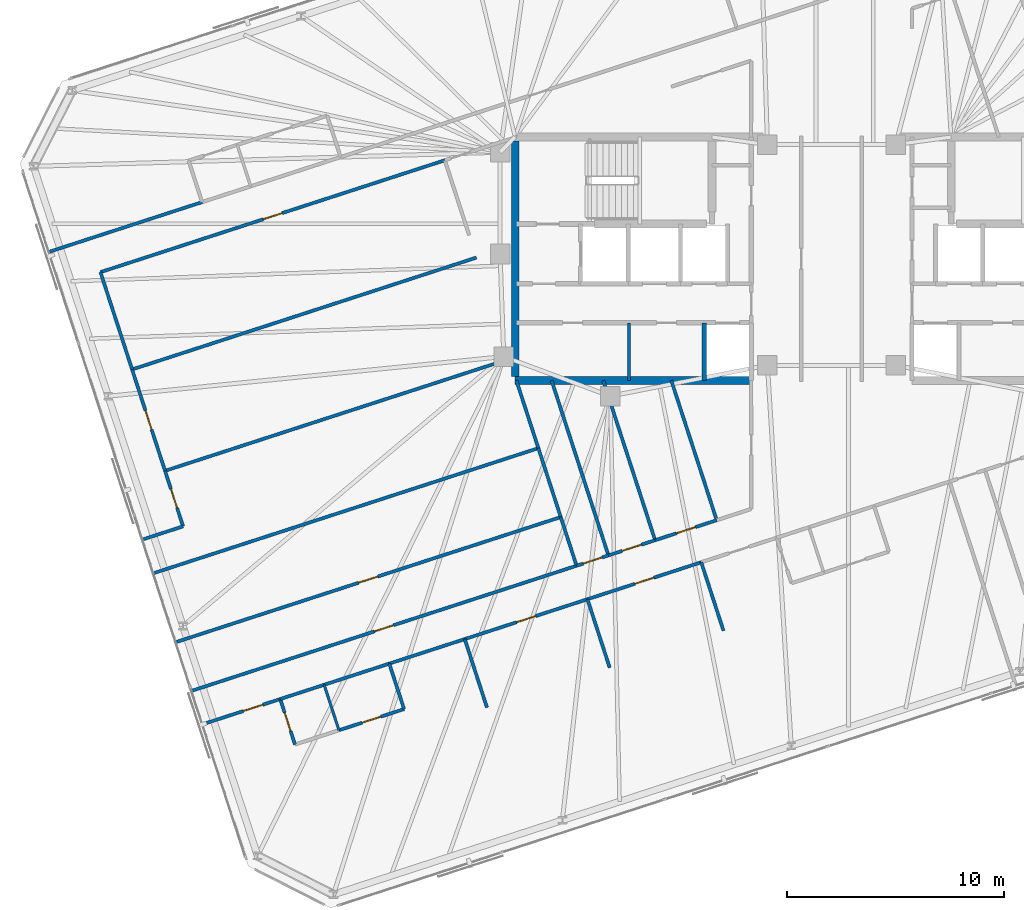
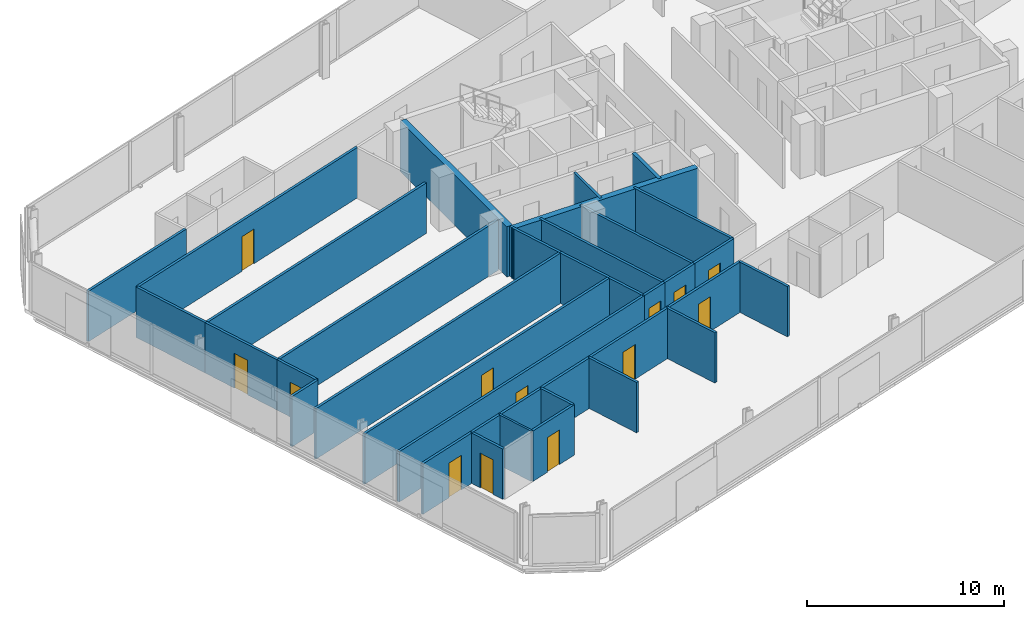
# One storey, part 13 of 19: 37 walls, 13 doors, 13 openings.
"""IFC4 building model written with IfcOpenShell, lengths in metres."""

from ifc_helpers import new_model, si_unit, direction, frame, frame_2d, origin, place, context, subcontext, project, spatial, rectangle, extrude, material, layer, layer_set, type_object, element, fill, save


model = new_model("IFC4")

# Units and contexts
model_context = context("Model", 3, precision=1e-05, world=origin(), true_north=direction((0.0, 1.0)))
body_context = subcontext(model_context, "Body", "Model", "MODEL_VIEW")
ifc_project = project(units=[si_unit("LENGTHUNIT", "METRE"), si_unit("AREAUNIT", "SQUARE_METRE"), si_unit("VOLUMEUNIT", "CUBIC_METRE"), si_unit("PLANEANGLEUNIT", "RADIAN"), si_unit("MASSUNIT", "GRAM", prefix="KILO")], contexts=[model_context])

# Site, building, storey
site_placement = place(None, origin())
site = spatial("IfcSite", under=ifc_project, at=site_placement, CompositionType="ELEMENT")
building_placement = place(site_placement, origin())
building = spatial("IfcBuilding", under=site, at=building_placement, Name="Menara Jurai Vektor", CompositionType="ELEMENT")
storey_placement = place(building_placement, frame((0.0, 0.0, 214.25)))
storey = spatial("IfcBuildingStorey", under=building, at=storey_placement, Name="L56", CompositionType="ELEMENT", Elevation=214.25)

# Walls
ifc_material_1 = material(Name="Gypsum Fireboard Partition", Category="gypsum")
ifc_layer_1 = layer(ifc_material_1, 0.14990234375)
ifc_layer_set_1 = layer_set([ifc_layer_1], Name="Gypsum Fireboard Partition")
wall_type_1 = type_object("IfcWallType", Name="INT-WALL-CORR-150", PredefinedType="PARTITIONING", material=ifc_layer_set_1)
wall_1_placement = place(storey_placement, frame((-9.320068359375, -5.60009765625, 0.0), z_axis=(0.0, 0.0, 1.0), x_axis=(0.0, 1.0, 0.0)))
element("IfcWall", 1, at=wall_1_placement, inside=storey, type_object=wall_type_1, Name="Interior Wall IW-150 L56", PredefinedType="PARTITIONING", context=body_context, shape_type="SweptSolid", body=[
    extrude(rectangle(XDim=2.650146484375, YDim=0.14990234375, at=frame_2d((1.3251953125, 0.0))), origin(), (0.0, 0.0, 1.0), 3.125),
])
wall_2_placement = place(storey_placement, frame((-36.01220703125, 0.314208984375, 0.0), z_axis=(0.0, 0.0, 1.0), x_axis=(0.951055595173, 0.309019829283, 0.0)))
element("IfcWall", 2, at=wall_2_placement, inside=storey, type_object=wall_type_1, Name="Interior Wall IW-150 L56", PredefinedType="PARTITIONING", context=body_context, shape_type="SweptSolid", body=[
    extrude(rectangle(XDim=7.4169921875, YDim=0.14990234375, at=frame_2d((3.70849609375, 0.0))), origin(), (0.0, 0.0, 1.0), 3.125),
])

# Wall, opening, door
wall_3_placement = place(storey_placement, frame((-28.949951171875, -21.42138671875, 0.0), z_axis=(0.0, 0.0, 1.0), x_axis=(0.951052151329, 0.309030428036, 0.0)))
wall_3 = element("IfcWall", 3, at=wall_3_placement, inside=storey, type_object=wall_type_1, Name="Interior Wall IW-150 L56", PredefinedType="PARTITIONING", context=body_context, shape_type="SweptSolid", body=[
    extrude(rectangle(XDim=3.77001953125, YDim=0.14990234375, at=frame_2d((1.885009765625, 0.0))), origin(), (0.0, 0.0, 1.0), 3.125),
])
opening_1_placement = place(wall_3_placement, frame((1.975341796875, 0.0, 0.0)))
opening_1 = element("IfcOpeningElement", 4, at=opening_1_placement, cuts=wall_3, Name="Opening D56-15", PredefinedType="OPENING", context=body_context, shape_type="SweptSolid", body=[
    extrude(rectangle(XDim=0.949951171875, YDim=2.14990234375, at=frame_2d((0.47509765625, 1.074951171875))), frame((0.0, 0.0849609375, 0.0), z_axis=(0.0, -1.0, 0.0), x_axis=(1.0, 0.0, 0.0)), (0.0, 0.0, 1.0), 0.169921875),
])
ifc_material_2 = material(Name="Solid Core Timber Fire Door", Category="wood")
door_type_1 = type_object("IfcDoorType", Name="DR-ENTRY-950", OperationType="NOTDEFINED", PredefinedType="DOOR", material=ifc_material_2)
door_1_placement = place(opening_1_placement, origin())
door_1 = element("IfcDoor", 5, at=door_1_placement, inside=storey, type_object=door_type_1, Name="Interior Door D56-15", OperationType="SINGLE_SWING_RIGHT", OverallHeight=2.14990234375, OverallWidth=0.949951171875, PredefinedType="DOOR", context=body_context, shape_type="SweptSolid", body=[
    extrude(rectangle(XDim=0.949951171875, YDim=2.14990234375, at=frame_2d((0.47509765625, 1.074951171875))), frame((0.0, 0.02490234375, 0.0), z_axis=(0.0, -1.0, 0.0), x_axis=(1.0, 0.0, 0.0)), (0.0, 0.0, 1.0), 0.050048828125),
])
fill(opening_1, door_1)

# Walls
wall_4_placement = place(storey_placement, frame((-20.3466796875, -18.6259765625, 0.0), z_axis=(0.0, 0.0, 1.0), x_axis=(0.951057168147, 0.309014988174, 0.0)))
element("IfcWall", 6, at=wall_4_placement, inside=storey, type_object=wall_type_1, Name="Interior Wall IW-150 L56", PredefinedType="PARTITIONING", context=body_context, shape_type="SweptSolid", body=[
    extrude(rectangle(XDim=3.650146484375, YDim=0.14990234375, at=frame_2d((1.8251953125, 0.0))), origin(), (0.0, 0.0, 1.0), 3.125),
])
wall_5_placement = place(storey_placement, frame((-25.364501953125, -20.25634765625, 0.0), z_axis=(0.0, 0.0, 1.0), x_axis=(0.951056007502, 0.309018560274, 0.0)))
element("IfcWall", 7, at=wall_5_placement, inside=storey, type_object=wall_type_1, Name="Interior Wall IW-150 L56", PredefinedType="PARTITIONING", context=body_context, shape_type="SweptSolid", body=[
    extrude(rectangle(XDim=2.1259765625, YDim=0.14990234375, at=frame_2d((1.06298828125, 0.0))), origin(), (0.0, 0.0, 1.0), 3.125),
])
wall_6_placement = place(storey_placement, frame((-23.342529296875, -19.599365234375, 0.0), z_axis=(0.0, 0.0, 1.0), x_axis=(0.951058557014, 0.309010713619, 0.0)))
element("IfcWall", 8, at=wall_6_placement, inside=storey, type_object=wall_type_1, Name="Interior Wall IW-150 L56", PredefinedType="PARTITIONING", context=body_context, shape_type="SweptSolid", body=[
    extrude(rectangle(XDim=3.14990234375, YDim=0.14990234375, at=frame_2d((1.574951171875, 0.0))), origin(), (0.0, 0.0, 1.0), 3.125),
])

# Wall, opening, door
wall_7_placement = place(storey_placement, frame((-16.875244140625, -17.498046875, 0.0), z_axis=(0.0, 0.0, 1.0), x_axis=(0.951057944303, 0.309012599384, 0.0)))
wall_7 = element("IfcWall", 9, at=wall_7_placement, inside=storey, type_object=wall_type_1, Name="Interior Wall IW-150 L56", PredefinedType="PARTITIONING", context=body_context, shape_type="SweptSolid", body=[
    extrude(rectangle(XDim=5.935791015625, YDim=0.14990234375, at=frame_2d((2.9677734375, 0.0))), origin(), (0.0, 0.0, 1.0), 3.125),
])
opening_2_placement = place(wall_7_placement, frame((2.508056640625, 0.0, 0.0)))
opening_2 = element("IfcOpeningElement", 10, at=opening_2_placement, cuts=wall_7, Name="Opening D56-24", PredefinedType="OPENING", context=body_context, shape_type="SweptSolid", body=[
    extrude(rectangle(XDim=0.919921875, YDim=2.14990234375, at=frame_2d((0.4599609375, 1.074951171875))), frame((0.0, 0.0849609375, 0.0), z_axis=(0.0, -1.0, 0.0), x_axis=(1.0, 0.0, 0.0)), (0.0, 0.0, 1.0), 0.169921875),
])
door_2_placement = place(opening_2_placement, origin())
door_2 = element("IfcDoor", 11, at=door_2_placement, inside=storey, type_object=door_type_1, Name="Interior Door D56-24", OperationType="SINGLE_SWING_LEFT", OverallHeight=2.14990234375, OverallWidth=0.919921875, PredefinedType="DOOR", context=body_context, shape_type="SweptSolid", body=[
    extrude(rectangle(XDim=0.919921875, YDim=2.14990234375, at=frame_2d((0.4599609375, 1.074951171875))), frame((0.0, 0.02490234375, 0.0), z_axis=(0.0, -1.0, 0.0), x_axis=(1.0, 0.0, 0.0)), (0.0, 0.0, 1.0), 0.050048828125),
])
fill(opening_2, door_2)

wall_8_placement = place(storey_placement, frame((-29.450439453125, -19.880615234375, 0.0), z_axis=(0.0, 0.0, 1.0), x_axis=(0.95105650271, 0.309017036186, 0.0)))
wall_8 = element("IfcWall", 12, at=wall_8_placement, inside=storey, type_object=wall_type_1, Name="Interior Wall IW-150 L56", PredefinedType="PARTITIONING", context=body_context, shape_type="SweptSolid", body=[
    extrude(rectangle(XDim=18.6318359375, YDim=0.14990234375, at=frame_2d((9.31591796875, 0.0))), origin(), (0.0, 0.0, 1.0), 3.125),
])
opening_3_placement = place(wall_8_placement, frame((8.85595703125, 0.0, 0.0)))
opening_3 = element("IfcOpeningElement", 13, at=opening_3_placement, cuts=wall_8, Name="Opening D56-25", PredefinedType="OPENING", context=body_context, shape_type="SweptSolid", body=[
    extrude(rectangle(XDim=0.919921875, YDim=2.14990234375, at=frame_2d((0.4599609375, 1.074951171875))), frame((0.0, 0.0849609375, 0.0), z_axis=(0.0, -1.0, 0.0), x_axis=(1.0, 0.0, 0.0)), (0.0, 0.0, 1.0), 0.169921875),
])
door_3_placement = place(opening_3_placement, origin())
door_3 = element("IfcDoor", 14, at=door_3_placement, inside=storey, type_object=door_type_1, Name="Interior Door D56-25", OperationType="SINGLE_SWING_RIGHT", OverallHeight=2.14990234375, OverallWidth=0.919921875, PredefinedType="DOOR", context=body_context, shape_type="SweptSolid", body=[
    extrude(rectangle(XDim=0.919921875, YDim=2.14990234375, at=frame_2d((0.4599609375, 1.074951171875))), frame((0.0, 0.02490234375, 0.0), z_axis=(0.0, -1.0, 0.0), x_axis=(1.0, 0.0, 0.0)), (0.0, 0.0, 1.0), 0.050048828125),
])
fill(opening_3, door_3)

# Wall
wall_9_placement = place(storey_placement, frame((-31.7119140625, -12.9208984375, 0.0), z_axis=(0.0, 0.0, 1.0), x_axis=(0.951054051148, 0.309024581215, 0.0)))
element("IfcWall", 15, at=wall_9_placement, inside=storey, type_object=wall_type_1, Name="Interior Wall IW-150 L56", PredefinedType="PARTITIONING", context=body_context, shape_type="SweptSolid", body=[
    extrude(rectangle(XDim=1.97509765625, YDim=0.14990234375, at=frame_2d((0.987548828125, 0.0))), origin(), (0.0, 0.0, 1.0), 3.125),
])

# Wall, opening, door
wall_10_placement = place(storey_placement, frame((-29.83349609375, -12.310546875, 0.0), z_axis=(0.0, 0.0, 1.0), x_axis=(-0.309044953986, 0.951047431213, 0.0)))
wall_10 = element("IfcWall", 16, at=wall_10_placement, inside=storey, type_object=wall_type_1, Name="Interior Wall IW-150 L56", PredefinedType="PARTITIONING", context=body_context, shape_type="SweptSolid", body=[
    extrude(rectangle(XDim=2.68505859375, YDim=0.14990234375, at=frame_2d((1.342529296875, 0.0))), origin(), (0.0, 0.0, 1.0), 3.125),
])
opening_4_placement = place(wall_10_placement, frame((0.882568359375, 0.0, 0.0)))
opening_4 = element("IfcOpeningElement", 17, at=opening_4_placement, cuts=wall_10, Name="Opening D56-27", PredefinedType="OPENING", context=body_context, shape_type="SweptSolid", body=[
    extrude(rectangle(XDim=0.919921875, YDim=2.14990234375, at=frame_2d((0.4599609375, 1.074951171875))), frame((0.0, 0.0849609375, 0.0), z_axis=(0.0, -1.0, 0.0), x_axis=(1.0, 0.0, 0.0)), (0.0, 0.0, 1.0), 0.169921875),
])
door_4_placement = place(opening_4_placement, origin())
door_4 = element("IfcDoor", 18, at=door_4_placement, inside=storey, type_object=door_type_1, Name="Interior Door D56-27", OperationType="SINGLE_SWING_RIGHT", OverallHeight=2.14990234375, OverallWidth=0.919921875, PredefinedType="DOOR", context=body_context, shape_type="SweptSolid", body=[
    extrude(rectangle(XDim=0.919921875, YDim=2.14990234375, at=frame_2d((0.4599609375, 1.074951171875))), frame((0.0, 0.02490234375, 0.0), z_axis=(0.0, -1.0, 0.0), x_axis=(1.0, 0.0, 0.0)), (0.0, 0.0, 1.0), 0.050048828125),
])
fill(opening_4, door_4)

wall_11_placement = place(storey_placement, frame((-30.663330078125, -9.7568359375, 0.0), z_axis=(0.0, 0.0, 1.0), x_axis=(-0.309019653166, 0.951055652397, 0.0)))
wall_11 = element("IfcWall", 19, at=wall_11_placement, inside=storey, type_object=wall_type_1, Name="Interior Wall IW-150 L56", PredefinedType="PARTITIONING", context=body_context, shape_type="SweptSolid", body=[
    extrude(rectangle(XDim=4.90380859375, YDim=0.14990234375, at=frame_2d((2.451904296875, 0.0))), origin(), (0.0, 0.0, 1.0), 3.125),
])
opening_5_placement = place(wall_11_placement, frame((1.991943359375, 0.0, 0.0)))
opening_5 = element("IfcOpeningElement", 20, at=opening_5_placement, cuts=wall_11, Name="Opening D56-28", PredefinedType="OPENING", context=body_context, shape_type="SweptSolid", body=[
    extrude(rectangle(XDim=0.919921875, YDim=2.14990234375, at=frame_2d((0.4599609375, 1.074951171875))), frame((0.0, 0.0849609375, 0.0), z_axis=(0.0, -1.0, 0.0), x_axis=(1.0, 0.0, 0.0)), (0.0, 0.0, 1.0), 0.169921875),
])
door_5_placement = place(opening_5_placement, origin())
door_5 = element("IfcDoor", 21, at=door_5_placement, inside=storey, type_object=door_type_1, Name="Interior Door D56-28", OperationType="SINGLE_SWING_LEFT", OverallHeight=2.14990234375, OverallWidth=0.919921875, PredefinedType="DOOR", context=body_context, shape_type="SweptSolid", body=[
    extrude(rectangle(XDim=0.919921875, YDim=2.14990234375, at=frame_2d((0.4599609375, 1.074951171875))), frame((0.0, 0.02490234375, 0.0), z_axis=(0.0, -1.0, 0.0), x_axis=(1.0, 0.0, 0.0)), (0.0, 0.0, 1.0), 0.050048828125),
])
fill(opening_5, door_5)

# Wall
wall_12_placement = place(storey_placement, frame((-32.1787109375, -5.093017578125, 0.0), z_axis=(0.0, 0.0, 1.0), x_axis=(-0.309014532869, 0.951057316083, 0.0)))
element("IfcWall", 22, at=wall_12_placement, inside=storey, type_object=wall_type_1, Name="Interior Wall IW-150 L56", PredefinedType="PARTITIONING", context=body_context, shape_type="SweptSolid", body=[
    extrude(rectangle(XDim=4.707275390625, YDim=0.14990234375, at=frame_2d((2.353515625, 0.0))), origin(), (0.0, 0.0, 1.0), 3.125),
])

# Wall, opening, door
wall_13_placement = place(storey_placement, frame((-33.63330078125, -0.6162109375, 0.0), z_axis=(0.0, 0.0, 1.0), x_axis=(0.951058192995, 0.309011833974, 0.0)))
wall_13 = element("IfcWall", 23, at=wall_13_placement, inside=storey, type_object=wall_type_1, Name="Interior Wall IW-150 L56", PredefinedType="PARTITIONING", context=body_context, shape_type="SweptSolid", body=[
    extrude(rectangle(XDim=16.656982421875, YDim=0.14990234375, at=frame_2d((8.32861328125, 0.0))), origin(), (0.0, 0.0, 1.0), 3.125),
])
opening_6_placement = place(wall_13_placement, frame((7.868408203125, 0.0, 0.0)))
opening_6 = element("IfcOpeningElement", 24, at=opening_6_placement, cuts=wall_13, Name="Opening D56-29", PredefinedType="OPENING", context=body_context, shape_type="SweptSolid", body=[
    extrude(rectangle(XDim=0.919921875, YDim=2.14990234375, at=frame_2d((0.4599609375, 1.074951171875))), frame((0.0, 0.0849609375, 0.0), z_axis=(0.0, -1.0, 0.0), x_axis=(1.0, 0.0, 0.0)), (0.0, 0.0, 1.0), 0.169921875),
])
door_6_placement = place(opening_6_placement, origin())
door_6 = element("IfcDoor", 25, at=door_6_placement, inside=storey, type_object=door_type_1, Name="Interior Door D56-29", OperationType="SINGLE_SWING_RIGHT", OverallHeight=2.14990234375, OverallWidth=0.919921875, PredefinedType="DOOR", context=body_context, shape_type="SweptSolid", body=[
    extrude(rectangle(XDim=0.919921875, YDim=2.14990234375, at=frame_2d((0.4599609375, 1.074951171875))), frame((0.0, 0.02490234375, 0.0), z_axis=(0.0, -1.0, 0.0), x_axis=(1.0, 0.0, 0.0)), (0.0, 0.0, 1.0), 0.050048828125),
])
fill(opening_6, door_6)

wall_14_placement = place(storey_placement, frame((-11.22998046875, -15.663818359375, 0.0), z_axis=(0.0, 0.0, 1.0), x_axis=(0.951055579382, 0.309019877882, 0.0)))
wall_14 = element("IfcWall", 26, at=wall_14_placement, inside=storey, type_object=wall_type_1, Name="Interior Wall IW-150 L56", PredefinedType="PARTITIONING", context=body_context, shape_type="SweptSolid", body=[
    extrude(rectangle(XDim=5.504150390625, YDim=0.14990234375, at=frame_2d((2.751953125, 0.0))), origin(), (0.0, 0.0, 1.0), 3.125),
])
opening_7_placement = place(wall_14_placement, frame((2.2919921875, 0.0, 0.0)))
opening_7 = element("IfcOpeningElement", 27, at=opening_7_placement, cuts=wall_14, Name="Opening D56-30", PredefinedType="OPENING", context=body_context, shape_type="SweptSolid", body=[
    extrude(rectangle(XDim=0.919921875, YDim=2.14990234375, at=frame_2d((0.4599609375, 1.074951171875))), frame((0.0, 0.0849609375, 0.0), z_axis=(0.0, -1.0, 0.0), x_axis=(1.0, 0.0, 0.0)), (0.0, 0.0, 1.0), 0.169921875),
])
door_7_placement = place(opening_7_placement, origin())
door_7 = element("IfcDoor", 28, at=door_7_placement, inside=storey, type_object=door_type_1, Name="Interior Door D56-30", OperationType="SINGLE_SWING_LEFT", OverallHeight=2.14990234375, OverallWidth=0.919921875, PredefinedType="DOOR", context=body_context, shape_type="SweptSolid", body=[
    extrude(rectangle(XDim=0.919921875, YDim=2.14990234375, at=frame_2d((0.4599609375, 1.074951171875))), frame((0.0, 0.02490234375, 0.0), z_axis=(0.0, -1.0, 0.0), x_axis=(1.0, 0.0, 0.0)), (0.0, 0.0, 1.0), 0.050048828125),
])
fill(opening_7, door_7)

wall_15_placement = place(storey_placement, frame((-11.73046875, -14.123046875, 0.0), z_axis=(0.0, 0.0, 1.0), x_axis=(0.951032904484, 0.309089654614, 0.0)))
wall_15 = element("IfcWall", 29, at=wall_15_placement, inside=storey, type_object=wall_type_1, Name="Interior Wall IW-150 L56", PredefinedType="PARTITIONING", context=body_context, shape_type="SweptSolid", body=[
    extrude(rectangle(XDim=1.541015625, YDim=0.14990234375, at=frame_2d((0.7705078125, 0.0))), origin(), (0.0, 0.0, 1.0), 3.125),
])
opening_8_placement = place(wall_15_placement, frame((0.310546875, 0.0, 0.0)))
opening_8 = element("IfcOpeningElement", 30, at=opening_8_placement, cuts=wall_15, Name="Opening D56-35", PredefinedType="OPENING", context=body_context, shape_type="SweptSolid", body=[
    extrude(rectangle(XDim=0.919921875, YDim=2.14990234375, at=frame_2d((0.4599609375, 1.074951171875))), frame((0.0, 0.0849609375, 0.0), z_axis=(0.0, -1.0, 0.0), x_axis=(1.0, 0.0, 0.0)), (0.0, 0.0, 1.0), 0.169921875),
])
door_8_placement = place(opening_8_placement, origin())
door_8 = element("IfcDoor", 31, at=door_8_placement, inside=storey, type_object=door_type_1, Name="Interior Door D56-35", OperationType="SINGLE_SWING_RIGHT", OverallHeight=2.14990234375, OverallWidth=0.919921875, PredefinedType="DOOR", context=body_context, shape_type="SweptSolid", body=[
    extrude(rectangle(XDim=0.919921875, YDim=2.14990234375, at=frame_2d((0.4599609375, 1.074951171875))), frame((0.0, 0.02490234375, 0.0), z_axis=(0.0, -1.0, 0.0), x_axis=(1.0, 0.0, 0.0)), (0.0, 0.0, 1.0), 0.050048828125),
])
fill(opening_8, door_8)

wall_16_placement = place(storey_placement, frame((-10.264892578125, -13.646728515625, 0.0), z_axis=(0.0, 0.0, 1.0), x_axis=(0.951065832698, 0.308988319964, 0.0)))
wall_16 = element("IfcWall", 32, at=wall_16_placement, inside=storey, type_object=wall_type_1, Name="Interior Wall IW-150 L56", PredefinedType="PARTITIONING", context=body_context, shape_type="SweptSolid", body=[
    extrude(rectangle(XDim=2.259033203125, YDim=0.14990234375, at=frame_2d((1.12939453125, 0.0))), origin(), (0.0, 0.0, 1.0), 3.125),
])
opening_9_placement = place(wall_16_placement, frame((0.66943359375, 0.0, 0.0)))
opening_9 = element("IfcOpeningElement", 33, at=opening_9_placement, cuts=wall_16, Name="Opening D56-36", PredefinedType="OPENING", context=body_context, shape_type="SweptSolid", body=[
    extrude(rectangle(XDim=0.919921875, YDim=2.14990234375, at=frame_2d((0.4599609375, 1.074951171875))), frame((0.0, 0.0849609375, 0.0), z_axis=(0.0, -1.0, 0.0), x_axis=(1.0, 0.0, 0.0)), (0.0, 0.0, 1.0), 0.169921875),
])
door_9_placement = place(opening_9_placement, origin())
door_9 = element("IfcDoor", 34, at=door_9_placement, inside=storey, type_object=door_type_1, Name="Interior Door D56-36", OperationType="SINGLE_SWING_LEFT", OverallHeight=2.14990234375, OverallWidth=0.919921875, PredefinedType="DOOR", context=body_context, shape_type="SweptSolid", body=[
    extrude(rectangle(XDim=0.919921875, YDim=2.14990234375, at=frame_2d((0.4599609375, 1.074951171875))), frame((0.0, 0.02490234375, 0.0), z_axis=(0.0, -1.0, 0.0), x_axis=(1.0, 0.0, 0.0)), (0.0, 0.0, 1.0), 0.050048828125),
])
fill(opening_9, door_9)

wall_17_placement = place(storey_placement, frame((-8.116455078125, -12.94873046875, 0.0), z_axis=(0.0, 0.0, 1.0), x_axis=(0.95107320803, 0.308965617775, 0.0)))
wall_17 = element("IfcWall", 35, at=wall_17_placement, inside=storey, type_object=wall_type_1, Name="Interior Wall IW-150 L56", PredefinedType="PARTITIONING", context=body_context, shape_type="SweptSolid", body=[
    extrude(rectangle(XDim=2.97900390625, YDim=0.14990234375, at=frame_2d((1.489501953125, 0.0))), origin(), (0.0, 0.0, 1.0), 3.125),
])
opening_10_placement = place(wall_17_placement, frame((1.029541015625, 0.0, 0.0)))
opening_10 = element("IfcOpeningElement", 36, at=opening_10_placement, cuts=wall_17, Name="Opening D56-37", PredefinedType="OPENING", context=body_context, shape_type="SweptSolid", body=[
    extrude(rectangle(XDim=0.919921875, YDim=2.14990234375, at=frame_2d((0.4599609375, 1.074951171875))), frame((0.0, 0.0849609375, 0.0), z_axis=(0.0, -1.0, 0.0), x_axis=(1.0, 0.0, 0.0)), (0.0, 0.0, 1.0), 0.169921875),
])
door_10_placement = place(opening_10_placement, origin())
door_10 = element("IfcDoor", 37, at=door_10_placement, inside=storey, type_object=door_type_1, Name="Interior Door D56-37", OperationType="SINGLE_SWING_RIGHT", OverallHeight=2.14990234375, OverallWidth=0.919921875, PredefinedType="DOOR", context=body_context, shape_type="SweptSolid", body=[
    extrude(rectangle(XDim=0.919921875, YDim=2.14990234375, at=frame_2d((0.4599609375, 1.074951171875))), frame((0.0, 0.02490234375, 0.0), z_axis=(0.0, -1.0, 0.0), x_axis=(1.0, 0.0, 0.0)), (0.0, 0.0, 1.0), 0.050048828125),
])
fill(opening_10, door_10)

wall_18_placement = place(storey_placement, frame((-24.6845703125, -22.3486328125, 0.0), z_axis=(0.0, 0.0, 1.0), x_axis=(-0.309060979314, 0.951042223598, 0.0)))
wall_18 = element("IfcWall", 38, at=wall_18_placement, inside=storey, type_object=wall_type_1, Name="Interior Wall IW-150 L56", PredefinedType="PARTITIONING", context=body_context, shape_type="SweptSolid", body=[
    extrude(rectangle(XDim=2.199951171875, YDim=0.14990234375, at=frame_2d((1.10009765625, 0.0))), origin(), (0.0, 0.0, 1.0), 3.125),
])
opening_11_placement = place(wall_18_placement, frame((0.659912109375, 0.0, 0.0)))
opening_11 = element("IfcOpeningElement", 39, at=opening_11_placement, cuts=wall_18, Name="Opening D56-16", PredefinedType="OPENING", context=body_context, shape_type="SweptSolid", body=[
    extrude(rectangle(XDim=0.8798828125, YDim=2.14990234375, at=frame_2d((0.43994140625, 1.074951171875))), frame((0.0, 0.0849609375, 0.0), z_axis=(0.0, -1.0, 0.0), x_axis=(1.0, 0.0, 0.0)), (0.0, 0.0, 1.0), 0.169921875),
])
ifc_material_3 = material(Name="Moisture-Resistant Timber Door", Category="wood")
door_type_2 = type_object("IfcDoorType", Name="DR-BATH-880", OperationType="NOTDEFINED", PredefinedType="DOOR", material=ifc_material_3)
door_11_placement = place(opening_11_placement, origin())
door_11 = element("IfcDoor", 40, at=door_11_placement, inside=storey, type_object=door_type_2, Name="Interior Door D56-16", OperationType="SINGLE_SWING_LEFT", OverallHeight=2.14990234375, OverallWidth=0.8798828125, PredefinedType="DOOR", context=body_context, shape_type="SweptSolid", body=[
    extrude(rectangle(XDim=0.8798828125, YDim=2.14990234375, at=frame_2d((0.43994140625, 1.074951171875))), frame((0.0, 0.02490234375, 0.0), z_axis=(0.0, -1.0, 0.0), x_axis=(1.0, 0.0, 0.0)), (0.0, 0.0, 1.0), 0.050048828125),
])
fill(opening_11, door_11)

wall_19_placement = place(storey_placement, frame((-22.66259765625, -21.691650390625, 0.0), z_axis=(0.0, 0.0, 1.0), x_axis=(0.951058557014, 0.309010713619, 0.0)))
wall_19 = element("IfcWall", 41, at=wall_19_placement, inside=storey, type_object=wall_type_1, Name="Interior Wall IW-150 L56", PredefinedType="PARTITIONING", context=body_context, shape_type="SweptSolid", body=[
    extrude(rectangle(XDim=3.14990234375, YDim=0.14990234375, at=frame_2d((1.574951171875, 0.0))), origin(), (0.0, 0.0, 1.0), 3.125),
])
opening_12_placement = place(wall_19_placement, frame((1.125, 0.0, 0.0)))
opening_12 = element("IfcOpeningElement", 42, at=opening_12_placement, cuts=wall_19, Name="Opening D56-17", PredefinedType="OPENING", context=body_context, shape_type="SweptSolid", body=[
    extrude(rectangle(XDim=0.89990234375, YDim=2.14990234375, at=frame_2d((0.449951171875, 1.074951171875))), frame((0.0, 0.0849609375, 0.0), z_axis=(0.0, -1.0, 0.0), x_axis=(1.0, 0.0, 0.0)), (0.0, 0.0, 1.0), 0.169921875),
])
ifc_material_4 = material(Name="Acoustic Timber Interior Door", Category="wood")
door_type_3 = type_object("IfcDoorType", Name="DR-ROOM-900", OperationType="NOTDEFINED", PredefinedType="DOOR", material=ifc_material_4)
door_12_placement = place(opening_12_placement, origin())
door_12 = element("IfcDoor", 43, at=door_12_placement, inside=storey, type_object=door_type_3, Name="Interior Door D56-17", OperationType="SINGLE_SWING_RIGHT", OverallHeight=2.14990234375, OverallWidth=0.89990234375, PredefinedType="DOOR", context=body_context, shape_type="SweptSolid", body=[
    extrude(rectangle(XDim=0.89990234375, YDim=2.14990234375, at=frame_2d((0.449951171875, 1.074951171875))), frame((0.0, 0.02490234375, 0.0), z_axis=(0.0, -1.0, 0.0), x_axis=(1.0, 0.0, 0.0)), (0.0, 0.0, 1.0), 0.050048828125),
])
fill(opening_12, door_12)

# Walls
wall_20_placement = place(storey_placement, frame((-19.666748046875, -20.71826171875, 0.0), z_axis=(0.0, 0.0, 1.0), x_axis=(-0.309060979314, 0.951042223598, 0.0)))
element("IfcWall", 44, at=wall_20_placement, inside=storey, type_object=wall_type_1, Name="Interior Wall IW-150 L56", PredefinedType="PARTITIONING", context=body_context, shape_type="SweptSolid", body=[
    extrude(rectangle(XDim=2.199951171875, YDim=0.14990234375, at=frame_2d((1.10009765625, 0.0))), origin(), (0.0, 0.0, 1.0), 3.125),
])
for number, where, z_axis, x_axis, name in (
    (45, (-15.851806640625, -20.64794921875, 0.0), (0.0, 0.0, 1.0), (-0.309009398695, 0.951058984248, 0.0), "Interior Wall IW-150 L56"),
    (46, (-4.9716796875, -17.11279296875, 0.0), (0.0, 0.0, 1.0), (-0.309009398695, 0.951058984248, 0.0), "Interior Wall IW-150 L56"),
    (47, (-10.206298828125, -18.813720703125, 0.0), (0.0, 0.0, 1.0), (-0.309076071769, 0.951037318857, 0.0), "Interior Wall IW-150 L56"),
):
    element("IfcWall", number, at=place(storey_placement, frame(where, z_axis=z_axis, x_axis=x_axis)), inside=storey, type_object=wall_type_1, Name=name, PredefinedType="PARTITIONING", context=body_context, shape_type="SweptSolid", body=[
        extrude(rectangle(XDim=3.31201171875, YDim=0.14990234375, at=frame_2d((1.656005859375, 0.0))), origin(), (0.0, 0.0, 1.0), 3.125),
    ])

# Wall, opening, door
wall_21_placement = place(storey_placement, frame((-30.177978515625, -17.641845703125, 0.0), z_axis=(0.0, 0.0, 1.0), x_axis=(0.95105650271, 0.309017036186, 0.0)))
wall_21 = element("IfcWall", 48, at=wall_21_placement, inside=storey, type_object=wall_type_1, Name="Interior Wall IW-150 L56", PredefinedType="PARTITIONING", context=body_context, shape_type="SweptSolid", body=[
    extrude(rectangle(XDim=18.6318359375, YDim=0.14990234375, at=frame_2d((9.31591796875, 0.0))), origin(), (0.0, 0.0, 1.0), 3.125),
])
opening_13_placement = place(wall_21_placement, frame((8.85595703125, 0.0, 0.0)))
opening_13 = element("IfcOpeningElement", 49, at=opening_13_placement, cuts=wall_21, Name="Opening D56-26", PredefinedType="OPENING", context=body_context, shape_type="SweptSolid", body=[
    extrude(rectangle(XDim=0.919921875, YDim=2.14990234375, at=frame_2d((0.4599609375, 1.074951171875))), frame((0.0, 0.0849609375, 0.0), z_axis=(0.0, -1.0, 0.0), x_axis=(1.0, 0.0, 0.0)), (0.0, 0.0, 1.0), 0.169921875),
])
door_13_placement = place(opening_13_placement, origin())
door_13 = element("IfcDoor", 50, at=door_13_placement, inside=storey, type_object=door_type_1, Name="Interior Door D56-26", OperationType="SINGLE_SWING_LEFT", OverallHeight=2.14990234375, OverallWidth=0.919921875, PredefinedType="DOOR", context=body_context, shape_type="SweptSolid", body=[
    extrude(rectangle(XDim=0.919921875, YDim=2.14990234375, at=frame_2d((0.4599609375, 1.074951171875))), frame((0.0, 0.02490234375, 0.0), z_axis=(0.0, -1.0, 0.0), x_axis=(1.0, 0.0, 0.0)), (0.0, 0.0, 1.0), 0.050048828125),
])
fill(opening_13, door_13)

# Walls
wall_22_placement = place(storey_placement, frame((-11.73046875, -14.123046875, 0.0), z_axis=(0.0, 0.0, 1.0), x_axis=(-0.309062621189, 0.951041690035, 0.0)))
element("IfcWall", 51, at=wall_22_placement, inside=storey, type_object=wall_type_1, Name="Interior Wall IW-150 L56", PredefinedType="PARTITIONING", context=body_context, shape_type="SweptSolid", body=[
    extrude(rectangle(XDim=2.35400390625, YDim=0.14990234375, at=frame_2d((1.177001953125, 0.0))), origin(), (0.0, 0.0, 1.0), 3.125),
])
wall_23_placement = place(storey_placement, frame((-31.208251953125, -14.470947265625, 0.0), z_axis=(0.0, 0.0, 1.0), x_axis=(0.951057753948, 0.309013185244, 0.0)))
element("IfcWall", 52, at=wall_23_placement, inside=storey, type_object=wall_type_1, Name="Interior Wall IW-150 L56", PredefinedType="PARTITIONING", context=body_context, shape_type="SweptSolid", body=[
    extrude(rectangle(XDim=18.632080078125, YDim=0.14990234375, at=frame_2d((9.31591796875, 0.0))), origin(), (0.0, 0.0, 1.0), 3.125),
])
wall_24_placement = place(storey_placement, frame((-12.4580078125, -11.88427734375, 0.0), z_axis=(0.0, 0.0, 1.0), x_axis=(-0.308946982245, 0.951079261766, 0.0)))
element("IfcWall", 53, at=wall_24_placement, inside=storey, type_object=wall_type_1, Name="Interior Wall IW-150 L56", PredefinedType="PARTITIONING", context=body_context, shape_type="SweptSolid", body=[
    extrude(rectangle(XDim=3.333984375, YDim=0.14990234375, at=frame_2d((1.6669921875, 0.0))), origin(), (0.0, 0.0, 1.0), 3.125),
])
wall_25_placement = place(storey_placement, frame((-30.663330078125, -9.7568359375, 0.0), z_axis=(0.0, 0.0, 1.0), x_axis=(0.951058192995, 0.309011833974, 0.0)))
element("IfcWall", 54, at=wall_25_placement, inside=storey, type_object=wall_type_1, Name="Interior Wall IW-150 L56", PredefinedType="PARTITIONING", context=body_context, shape_type="SweptSolid", body=[
    extrude(rectangle(XDim=16.656982421875, YDim=0.14990234375, at=frame_2d((8.32861328125, 0.0))), origin(), (0.0, 0.0, 1.0), 3.125),
])
wall_26_placement = place(storey_placement, frame((-13.488037109375, -8.71337890625, 0.0), z_axis=(0.0, 0.0, 1.0), x_axis=(-0.309082700143, 0.951035164687, 0.0)))
element("IfcWall", 55, at=wall_26_placement, inside=storey, type_object=wall_type_1, Name="Interior Wall IW-150 L56", PredefinedType="PARTITIONING", context=body_context, shape_type="SweptSolid", body=[
    extrude(rectangle(XDim=3.274169921875, YDim=0.14990234375, at=frame_2d((1.63720703125, 0.0))), origin(), (0.0, 0.0, 1.0), 3.125),
])
wall_27_placement = place(storey_placement, frame((-32.1787109375, -5.093017578125, 0.0), z_axis=(0.0, 0.0, 1.0), x_axis=(0.951053885426, 0.309025091239, 0.0)))
element("IfcWall", 56, at=wall_27_placement, inside=storey, type_object=wall_type_1, Name="Interior Wall IW-150 L56", PredefinedType="PARTITIONING", context=body_context, shape_type="SweptSolid", body=[
    extrude(rectangle(XDim=16.656982421875, YDim=0.14990234375, at=frame_2d((8.32861328125, 0.0))), origin(), (0.0, 0.0, 1.0), 3.125),
])
wall_28_placement = place(storey_placement, frame((-10.264892578125, -13.646728515625, 0.0), z_axis=(0.0, 0.0, 1.0), x_axis=(-0.309007776314, 0.951059511375, 0.0)))
element("IfcWall", 57, at=wall_28_placement, inside=storey, type_object=wall_type_1, Name="Interior Wall IW-150 L56", PredefinedType="PARTITIONING", context=body_context, shape_type="SweptSolid", body=[
    extrude(rectangle(XDim=8.4609375, YDim=0.14990234375, at=frame_2d((4.23046875, 0.0))), origin(), (0.0, 0.0, 1.0), 3.125),
])
wall_29_placement = place(storey_placement, frame((-8.116455078125, -12.94873046875, 0.0), z_axis=(0.0, 0.0, 1.0), x_axis=(-0.309005340707, 0.951060302722, 0.0)))
element("IfcWall", 58, at=wall_29_placement, inside=storey, type_object=wall_type_1, Name="Interior Wall IW-150 L56", PredefinedType="PARTITIONING", context=body_context, shape_type="SweptSolid", body=[
    extrude(rectangle(XDim=7.72705078125, YDim=0.14990234375, at=frame_2d((3.863525390625, 0.0))), origin(), (0.0, 0.0, 1.0), 3.125),
])
wall_30_placement = place(storey_placement, frame((-5.283203125, -12.0283203125, 0.0), z_axis=(0.0, 0.0, 1.0), x_axis=(-0.30901256406, 0.95105795578, 0.0)))
element("IfcWall", 59, at=wall_30_placement, inside=storey, type_object=wall_type_1, Name="Interior Wall IW-150 L56", PredefinedType="PARTITIONING", context=body_context, shape_type="SweptSolid", body=[
    extrude(rectangle(XDim=6.759033203125, YDim=0.14990234375, at=frame_2d((3.37939453125, 0.0))), origin(), (0.0, 0.0, 1.0), 3.125),
])
ifc_material_5 = material(Name="Gypsum Acoustic Stud Partition", Category="gypsum")
ifc_layer_2 = layer(ifc_material_5, 0.1201171875)
ifc_layer_set_2 = layer_set([ifc_layer_2], Name="Gypsum Acoustic Stud Partition")
wall_type_2 = type_object("IfcWallType", Name="INT-WALL-PART-120", PredefinedType="PARTITIONING", material=ifc_layer_set_2)
wall_31_placement = place(storey_placement, frame((-22.66259765625, -21.691650390625, 0.0), z_axis=(0.0, 0.0, 1.0), x_axis=(-0.309060979314, 0.951042223598, 0.0)))
element("IfcWall", 60, at=wall_31_placement, inside=storey, type_object=wall_type_2, Name="Interior Wall IW-120 L56", PredefinedType="PARTITIONING", context=body_context, shape_type="SweptSolid", body=[
    extrude(rectangle(XDim=2.199951171875, YDim=0.1201171875, at=frame_2d((1.10009765625, 0.0))), origin(), (0.0, 0.0, 1.0), 3.125),
])
ifc_material_6 = material(Name="Concrete C40/50", Category="concrete")
ifc_layer_3 = layer(ifc_material_6, 0.199951171875)
ifc_layer_set_3 = layer_set([ifc_layer_3], Name="Concrete C40/50")
wall_type_3 = type_object("IfcWallType", Name="INT-WALL-SHAFT-200", PredefinedType="STANDARD", material=ifc_layer_set_3)
wall_32_placement = place(storey_placement, frame((-5.860107421875, -5.60009765625, 0.0), z_axis=(0.0, 0.0, 1.0), x_axis=(0.0, 1.0, 0.0)))
element("IfcWall", 61, at=wall_32_placement, inside=storey, type_object=wall_type_3, Name="Interior Wall IW-200 L56", PredefinedType="STANDARD", context=body_context, shape_type="SweptSolid", body=[
    extrude(rectangle(XDim=2.650146484375, YDim=0.199951171875, at=frame_2d((1.3251953125, 0.0))), origin(), (0.0, 0.0, 1.0), 3.125),
])
ifc_material_7 = material(Name="Concrete C50/60", Category="concrete")
ifc_layer_4 = layer(ifc_material_7, 0.35009765625)
ifc_layer_set_4 = layer_set([ifc_layer_4], Name="Concrete C50/60")
wall_type_4 = type_object("IfcWallType", Name="STR-WALL-CORE350", PredefinedType="SHEAR", material=ifc_layer_set_4)
wall_33_placement = place(storey_placement, frame((-14.56005859375, -5.60009765625, 0.0), z_axis=(0.0, 0.0, 1.0), x_axis=(1.0, 0.0, 0.0)))
element("IfcWall", 62, at=wall_33_placement, inside=storey, type_object=wall_type_4, Name="Core Shear Wall CW-W-S L56", PredefinedType="SHEAR", context=body_context, shape_type="SweptSolid", body=[
    extrude(rectangle(XDim=10.860107421875, YDim=0.35009765625, at=frame_2d((5.43017578125, 0.0))), origin(), (0.0, 0.0, 1.0), 3.125),
])
wall_34_placement = place(storey_placement, frame((-14.56005859375, -5.425048828125, 0.0), z_axis=(0.0, 0.0, 1.0), x_axis=(0.0, 1.0, 0.0)))
element("IfcWall", 63, at=wall_34_placement, inside=storey, type_object=wall_type_4, Name="Core Shear Wall CW-W-W L56", PredefinedType="SHEAR", context=body_context, shape_type="SweptSolid", body=[
    extrude(rectangle(XDim=10.85009765625, YDim=0.35009765625, at=frame_2d((5.425048828125, 0.0))), origin(), (0.0, 0.0, 1.0), 3.125),
])

save(model, "model.ifc")
